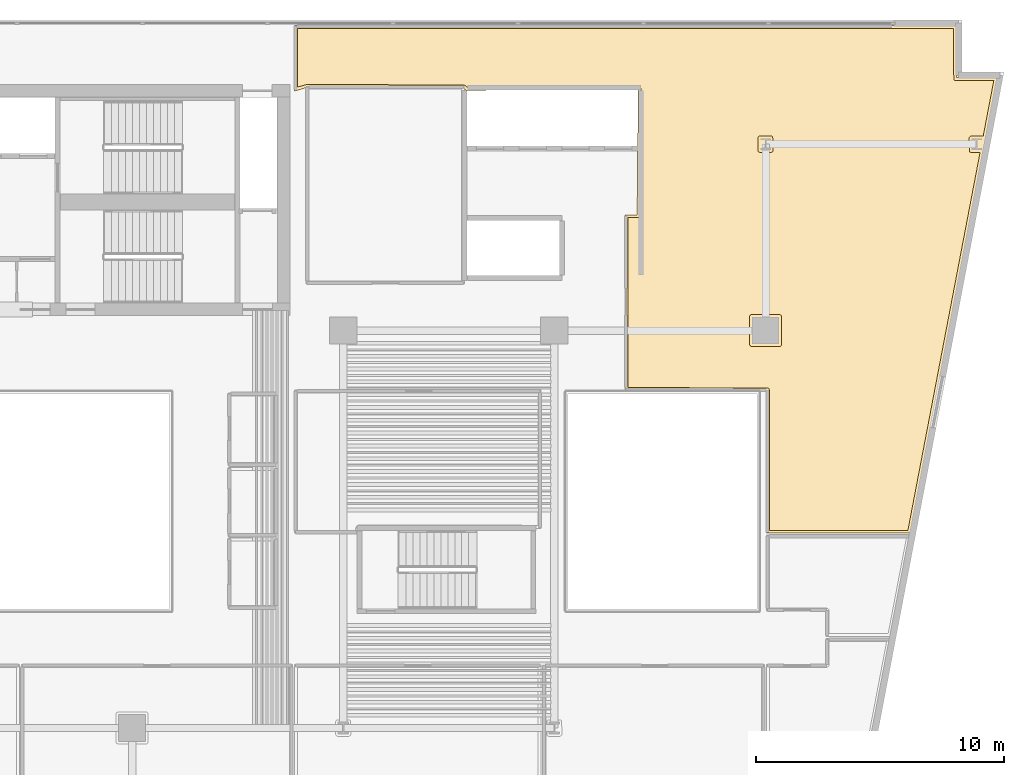
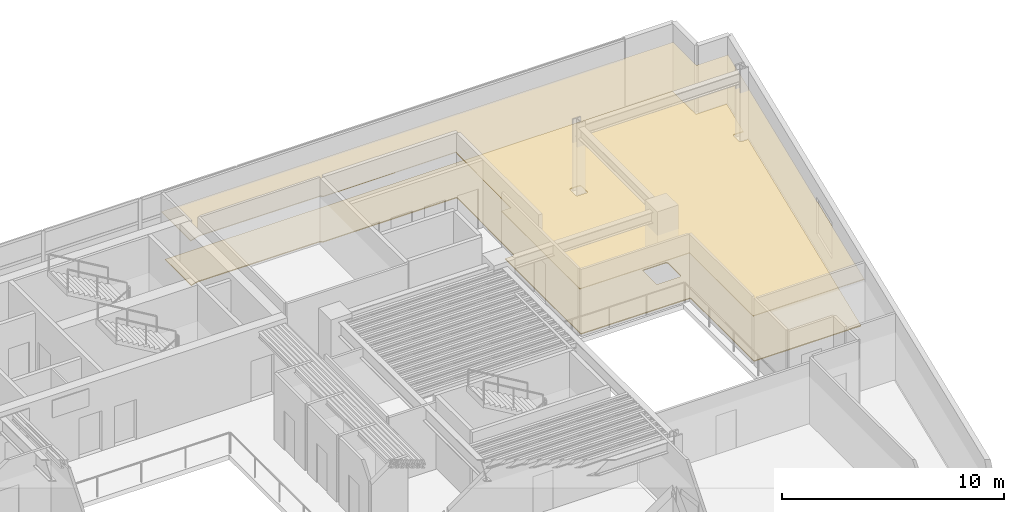
# One storey, part 13 of 13: 2 coverings.
"""IFC4 building model written with IfcOpenShell, lengths in metres."""

from ifc_helpers import new_model, si_unit, direction, frame, origin, place, context, subcontext, project, spatial, polyline, outline, extrude, material, layer, layer_set, type_object, element, save


model = new_model("IFC4")

# Units and contexts
model_context = context("Model", 3, precision=1e-05, world=origin(), true_north=direction((0.0, 1.0)))
body_context = subcontext(model_context, "Body", "Model", "MODEL_VIEW")
ifc_project = project(units=[si_unit("LENGTHUNIT", "METRE"), si_unit("AREAUNIT", "SQUARE_METRE"), si_unit("VOLUMEUNIT", "CUBIC_METRE"), si_unit("PLANEANGLEUNIT", "RADIAN"), si_unit("MASSUNIT", "GRAM", prefix="KILO")], contexts=[model_context])

# Site, building, storey
site_placement = place(None, origin())
site = spatial("IfcSite", under=ifc_project, at=site_placement, CompositionType="ELEMENT")
building_placement = place(site_placement, origin())
building = spatial("IfcBuilding", under=site, at=building_placement, Name="Caeloran Harvest Quay", CompositionType="ELEMENT")
storey_placement = place(building_placement, frame((0.0, 0.0, 131.14990234375)))
storey = spatial("IfcBuildingStorey", under=building, at=storey_placement, Name="L30", CompositionType="ELEMENT", Elevation=131.14990234375)

# Coverings
ifc_material_1 = material(Name="Perforated Mineral-Fibre Acoustic Ceiling Tile", Category="ceiling")
ifc_layer_1 = layer(ifc_material_1, 0.0400390625, Name="Perforated Mineral-Fibre Acoustic Ceiling Tile")
ifc_layer_set_1 = layer_set([ifc_layer_1], Name="Perforated Mineral-Fibre Acoustic Ceiling Tile")
covering_type_1 = type_object("IfcCoveringType", Name="COV-CEILING-ACOUSTIC", PredefinedType="CEILING", material=ifc_layer_set_1)
covering_1_placement = place(storey_placement, frame((0.0, 0.0, 2.60009765625)))
element("IfcCovering", 1, at=covering_1_placement, inside=storey, type_object=covering_type_1, Name="Controlled-Climate Simulation Lab 10 Acoustic Ceiling", PredefinedType="CEILING", context=body_context, shape_type="SweptSolid", body=[
    extrude(outline(polyline([(50.179931640625, 43.280029296875), (50.179931640625, 41.179931640625), (51.8330078125, 41.179931640625), (48.33056640625, 22.840087890625), (42.5400390625, 22.840087890625), (42.5400390625, 28.569580078125), (36.840087890625, 28.590087890625), (36.840087890625, 35.659912109375), (37.330322265625, 35.659912109375), (37.36962890625, 40.68994140625), (30.447021484375, 40.669921875), (30.36279296875, 40.758544921875), (24.0556640625, 40.7900390625), (23.5400390625, 40.63916015625), (23.5400390625, 43.280029296875), (50.179931640625, 43.280029296875)])), origin(), (0.0, 0.0, 1.0), 0.0400390625),
])
ifc_material_2 = material(Name="Calcium-Sulphate Raised Access Floor and Terrazzo Finish", Category="flooring")
ifc_layer_2 = layer(ifc_material_2, 0.050048828125, Name="Calcium-Sulphate Raised Access Floor and Terrazzo Finish")
ifc_layer_set_2 = layer_set([ifc_layer_2], Name="Calcium-Sulphate Raised Access Floor and Terrazzo Finish")
covering_type_2 = type_object("IfcCoveringType", Name="COV-FLOOR-RAISED", PredefinedType="FLOORING", material=ifc_layer_set_2)
covering_2_placement = place(storey_placement, origin())
element("IfcCovering", 2, at=covering_2_placement, inside=storey, type_object=covering_type_2, Name="Controlled-Climate Simulation Lab 10 Raised Finish Flooring", PredefinedType="FLOORING", context=body_context, shape_type="SweptSolid", body=[
    extrude(outline(polyline([(23.659912109375, 40.79931640625), (23.659912109375, 43.159912109375), (50.06005859375, 43.159912109375), (50.078125, 41.089111328125), (50.139892578125, 41.06005859375), (51.68798828125, 41.06005859375), (51.260986328125, 38.82421875), (50.76513671875, 38.83154296875), (50.694580078125, 38.767578125), (50.70654296875, 38.20361328125), (50.76513671875, 38.16845703125), (51.135498046875, 38.16796875), (48.231201171875, 22.9599609375), (42.659912109375, 22.9599609375), (42.659912109375, 28.609375), (42.617919921875, 28.679931640625), (36.9599609375, 28.709716796875), (36.9599609375, 35.5400390625), (37.377685546875, 35.540283203125), (37.44970703125, 35.611572265625), (37.489990234375, 40.7294921875), (37.45458984375, 40.79638671875), (30.498291015625, 40.7900390625), (30.38037109375, 40.87841796875), (24.05029296875, 40.909912109375), (23.659912109375, 40.79931640625)]), holes=[polyline([(41.93505859375, 31.64501953125), (41.87841796875, 31.62158203125), (41.85498046875, 31.56494140625), (41.85498046875, 30.43505859375), (41.87841796875, 30.37841796875), (41.93505859375, 30.35498046875), (43.06494140625, 30.35498046875), (43.12158203125, 30.37841796875), (43.14501953125, 30.43505859375), (43.14501953125, 31.56494140625), (43.12158203125, 31.62158203125), (43.06494140625, 31.64501953125), (41.93505859375, 31.64501953125)]), polyline([(42.806884765625, 38.248046875), (42.788818359375, 38.802734375), (42.73486328125, 38.83154296875), (42.27294921875, 38.83203125), (42.21630859375, 38.80859375), (42.193115234375, 38.751953125), (42.193115234375, 38.248046875), (42.21630859375, 38.19140625), (42.27294921875, 38.16796875), (42.72705078125, 38.16796875), (42.78369140625, 38.19140625), (42.806884765625, 38.248046875)])]), origin(), (0.0, 0.0, 1.0), 0.050048828125),
])

save(model, "model.ifc")
